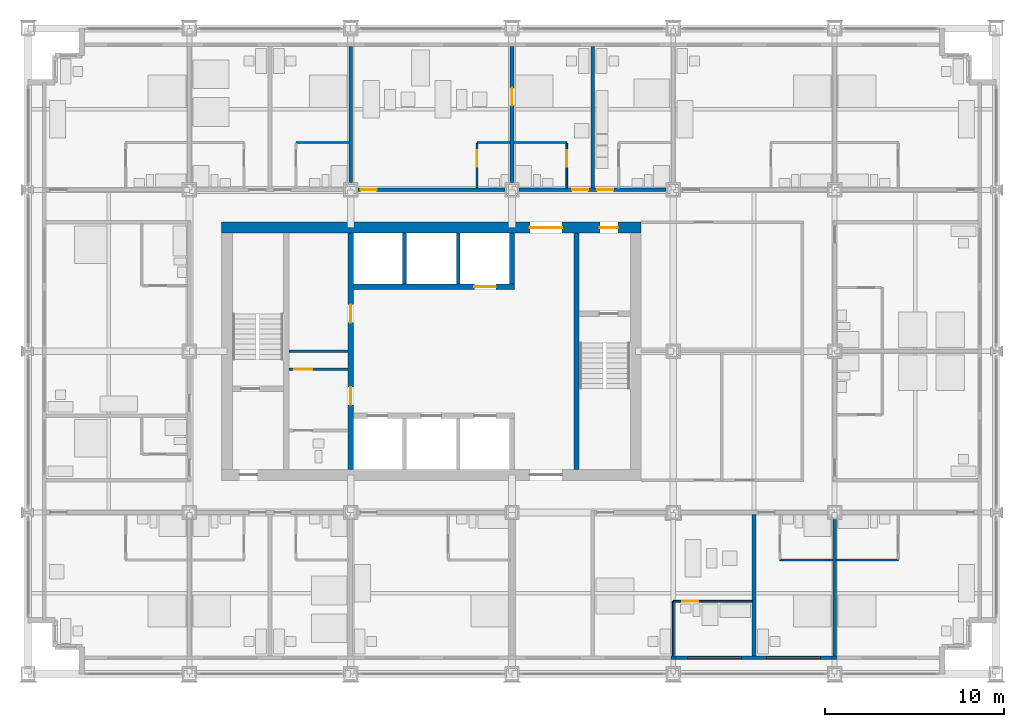
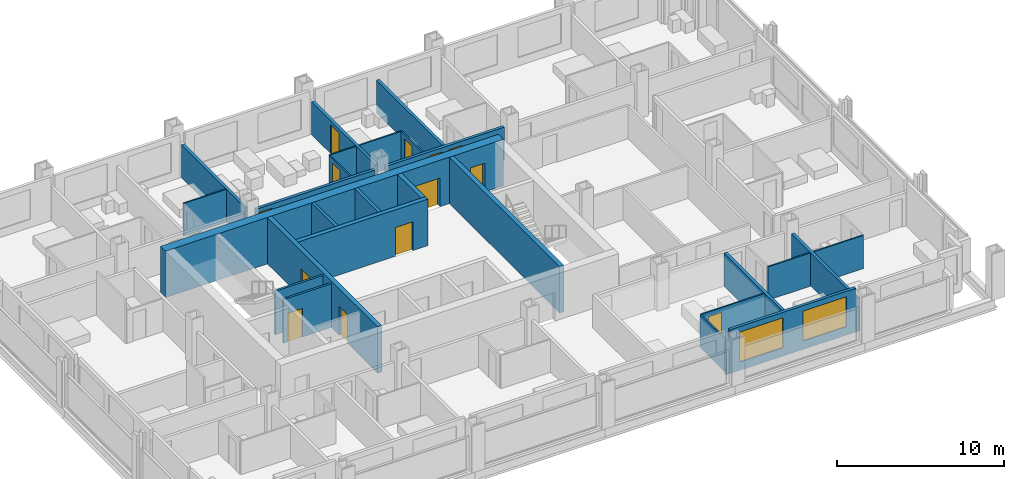
# One storey, part 12 of 18: 28 walls, 13 doors, 2 windows, 15 openings.
"""IFC4 building model written with IfcOpenShell, lengths in metres."""

from ifc_helpers import new_model, si_unit, direction, frame, frame_2d, origin, place, context, subcontext, project, spatial, rectangle, extrude, material, layer, layer_set, type_object, element, fill, save


model = new_model("IFC4")

# Units and contexts
model_context = context("Model", 3, precision=1e-05, world=origin(), true_north=direction((0.0, 1.0)))
body_context = subcontext(model_context, "Body", "Model", "MODEL_VIEW")
ifc_project = project(units=[si_unit("LENGTHUNIT", "METRE"), si_unit("AREAUNIT", "SQUARE_METRE"), si_unit("VOLUMEUNIT", "CUBIC_METRE"), si_unit("PLANEANGLEUNIT", "RADIAN"), si_unit("MASSUNIT", "GRAM", prefix="KILO")], contexts=[model_context])

# Site, building, storey
site_placement = place(None, origin())
site = spatial("IfcSite", under=ifc_project, at=site_placement, CompositionType="ELEMENT")
building_placement = place(site_placement, origin())
building = spatial("IfcBuilding", under=site, at=building_placement, Name="Loomwork Tower", CompositionType="ELEMENT")
storey_placement = place(building_placement, frame((0.0, 0.0, 31.39990234375)))
storey = spatial("IfcBuildingStorey", under=building, at=storey_placement, Name="L06", CompositionType="ELEMENT", Elevation=31.39990234375)

# Wall, openings, doors
ifc_material_1 = material(Name="Concrete 14000 psi (97 MPa)", Category="concrete")
ifc_layer_1 = layer(ifc_material_1, 0.300048828125)
ifc_layer_set_1 = layer_set([ifc_layer_1], Name="Core shear wall 300")
wall_type_1 = type_object("IfcWallType", Name="Core shear wall 300", PredefinedType="SHEAR", material=ifc_layer_set_1)
wall_1_placement = place(storey_placement, frame((18.0, 11.39990234375, 0.0), z_axis=(0.0, 0.0, 1.0), x_axis=(0.0, 1.0, 0.0)))
wall_1 = element("IfcWall", 1, at=wall_1_placement, inside=storey, type_object=wall_type_1, Name="Lobby west wall L06", PredefinedType="SHEAR", context=body_context, shape_type="SweptSolid", body=[
    extrude(rectangle(XDim=13.2001953125, YDim=0.300048828125, at=frame_2d((6.60009765625, 0.0))), origin(), (0.0, 0.0, 1.0), 3.400146484375),
])
opening_1_placement = place(wall_1_placement, frame((3.60009765625, 0.0, 0.0)))
opening_1 = element("IfcOpeningElement", 2, at=opening_1_placement, cuts=wall_1, Name="Opening D5", PredefinedType="OPENING", context=body_context, shape_type="SweptSolid", body=[
    extrude(rectangle(XDim=1.0, YDim=2.10009765625, at=frame_2d((0.5, 1.050048828125))), frame((0.0, 0.159912109375, 0.0), z_axis=(0.0, -1.0, 0.0), x_axis=(1.0, 0.0, 0.0)), (0.0, 0.0, 1.0), 0.320068359375),
])
opening_2_placement = place(wall_1_placement, frame((8.199951171875, 0.0, 0.0)))
opening_2 = element("IfcOpeningElement", 3, at=opening_2_placement, cuts=wall_1, Name="Opening D5", PredefinedType="OPENING", context=body_context, shape_type="SweptSolid", body=[
    extrude(rectangle(XDim=1.0, YDim=2.10009765625, at=frame_2d((0.5, 1.050048828125))), frame((0.0, 0.159912109375, 0.0), z_axis=(0.0, -1.0, 0.0), x_axis=(1.0, 0.0, 0.0)), (0.0, 0.0, 1.0), 0.320068359375),
])
ifc_material_2 = material(Name="Hollow metal door and frame")
door_type_1 = type_object("IfcDoorType", Name="Service door 1000", OperationType="SINGLE_SWING_LEFT", PredefinedType="DOOR", material=ifc_material_2)
door_1_placement = place(opening_1_placement, origin())
door_1 = element("IfcDoor", 4, at=door_1_placement, inside=storey, type_object=door_type_1, Name="Back-of-house door south", OperationType="SINGLE_SWING_LEFT", OverallHeight=2.10009765625, OverallWidth=1.0, PredefinedType="DOOR", context=body_context, shape_type="SweptSolid", body=[
    extrude(rectangle(XDim=1.0, YDim=2.10009765625, at=frame_2d((0.5, 1.050048828125))), frame((0.0, 0.02490234375, 0.0), z_axis=(0.0, -1.0, 0.0), x_axis=(1.0, 0.0, 0.0)), (0.0, 0.0, 1.0), 0.050048828125),
])
fill(opening_1, door_1)
door_2_placement = place(opening_2_placement, origin())
door_2 = element("IfcDoor", 5, at=door_2_placement, inside=storey, type_object=door_type_1, Name="Back-of-house door north", OperationType="SINGLE_SWING_RIGHT", OverallHeight=2.10009765625, OverallWidth=1.0, PredefinedType="DOOR", context=body_context, shape_type="SweptSolid", body=[
    extrude(rectangle(XDim=1.0, YDim=2.10009765625, at=frame_2d((0.5, 1.050048828125))), frame((0.0, 0.02490234375, 0.0), z_axis=(0.0, -1.0, 0.0), x_axis=(1.0, 0.0, 0.0)), (0.0, 0.0, 1.0), 0.050048828125),
])
fill(opening_2, door_2)

# Wall, opening, door
wall_2_placement = place(storey_placement, frame((18.14990234375, 21.60009765625, 0.0), z_axis=(0.0, 0.0, 1.0), x_axis=(1.0, 0.0, 0.0)))
wall_2 = element("IfcWall", 6, at=wall_2_placement, inside=storey, type_object=wall_type_1, Name="Lift front wall north L06", PredefinedType="SHEAR", context=body_context, shape_type="SweptSolid", body=[
    extrude(rectangle(XDim=9.0, YDim=0.300048828125, at=frame_2d((4.5, 0.0))), origin(), (0.0, 0.0, 1.0), 3.400146484375),
])
opening_3_placement = place(wall_2_placement, frame((6.75, 0.0, 0.0)))
opening_3 = element("IfcOpeningElement", 7, at=opening_3_placement, cuts=wall_2, Name="Opening LD2", PredefinedType="OPENING", context=body_context, shape_type="SweptSolid", body=[
    extrude(rectangle(XDim=1.199951171875, YDim=2.10009765625, at=frame_2d((0.60009765625, 1.050048828125))), frame((0.0, 0.159912109375, 0.0), z_axis=(0.0, -1.0, 0.0), x_axis=(1.0, 0.0, 0.0)), (0.0, 0.0, 1.0), 0.320068359375),
])
ifc_material_3 = material(Name="Hollow metal door and frame")
door_type_2 = type_object("IfcDoorType", Name="Lift landing door 1200", OperationType="SLIDING_TO_LEFT", PredefinedType="DOOR", material=ifc_material_3)
door_3_placement = place(opening_3_placement, origin())
door_3 = element("IfcDoor", 8, at=door_3_placement, inside=storey, type_object=door_type_2, Name="Lift landing door LF2", OperationType="SLIDING_TO_LEFT", OverallHeight=2.10009765625, OverallWidth=1.199951171875, PredefinedType="DOOR", context=body_context, shape_type="SweptSolid", body=[
    extrude(rectangle(XDim=1.199951171875, YDim=2.10009765625, at=frame_2d((0.60009765625, 1.050048828125))), frame((0.0, 0.02490234375, 0.0), z_axis=(0.0, -1.0, 0.0), x_axis=(1.0, 0.0, 0.0)), (0.0, 0.0, 1.0), 0.050048828125),
])
fill(opening_3, door_3)

# Walls
wall_3_placement = place(storey_placement, frame((27.0, 21.75, 0.0), z_axis=(0.0, 0.0, 1.0), x_axis=(0.0, 1.0, 0.0)))
element("IfcWall", 9, at=wall_3_placement, inside=storey, type_object=wall_type_1, Name="Lift shaft end wall north L06", PredefinedType="SHEAR", context=body_context, shape_type="SweptSolid", body=[
    extrude(rectangle(XDim=2.85009765625, YDim=0.300048828125, at=frame_2d((1.425048828125, 0.0))), origin(), (0.0, 0.0, 1.0), 3.400146484375),
])
wall_4_placement = place(storey_placement, frame((30.60009765625, 11.39990234375, 0.0), z_axis=(0.0, 0.0, 1.0), x_axis=(0.0, 1.0, 0.0)))
element("IfcWall", 10, at=wall_4_placement, inside=storey, type_object=wall_type_1, Name="Stair B west wall L06", PredefinedType="SHEAR", context=body_context, shape_type="SweptSolid", body=[
    extrude(rectangle(XDim=13.2001953125, YDim=0.300048828125, at=frame_2d((6.60009765625, 0.0))), origin(), (0.0, 0.0, 1.0), 3.400146484375),
])

# Wall, openings, doors
ifc_material_4 = material(Name="Concrete 14000 psi (97 MPa)", Category="concrete")
ifc_layer_2 = layer(ifc_material_4, 0.60009765625)
ifc_layer_set_2 = layer_set([ifc_layer_2], Name="Core shear wall 600")
wall_type_2 = type_object("IfcWallType", Name="Core shear wall 600", PredefinedType="SHEAR", material=ifc_layer_set_2)
wall_5_placement = place(storey_placement, frame((10.800048828125, 24.89990234375, 0.0), z_axis=(0.0, 0.0, 1.0), x_axis=(1.0, 0.0, 0.0)))
wall_5 = element("IfcWall", 11, at=wall_5_placement, inside=storey, type_object=wall_type_2, Name="Core wall north L06", PredefinedType="SHEAR", context=body_context, shape_type="SweptSolid", body=[
    extrude(rectangle(XDim=23.39990234375, YDim=0.60009765625, at=frame_2d((11.699951171875, 0.0))), origin(), (0.0, 0.0, 1.0), 3.400146484375),
])
opening_4_placement = place(wall_5_placement, frame((17.199951171875, 0.0, 0.0)))
opening_4 = element("IfcOpeningElement", 12, at=opening_4_placement, cuts=wall_5, Name="Opening D6", PredefinedType="OPENING", context=body_context, shape_type="SweptSolid", body=[
    extrude(rectangle(XDim=1.800048828125, YDim=2.10009765625, at=frame_2d((0.89990234375, 1.050048828125))), frame((0.0, 0.31005859375, 0.0), z_axis=(0.0, -1.0, 0.0), x_axis=(1.0, 0.0, 0.0)), (0.0, 0.0, 1.0), 0.6201171875),
])
opening_5_placement = place(wall_5_placement, frame((21.10009765625, 0.0, 0.0)))
opening_5 = element("IfcOpeningElement", 13, at=opening_5_placement, cuts=wall_5, Name="Opening D4", PredefinedType="OPENING", context=body_context, shape_type="SweptSolid", body=[
    extrude(rectangle(XDim=1.0, YDim=2.10009765625, at=frame_2d((0.5, 1.050048828125))), frame((0.0, 0.31005859375, 0.0), z_axis=(0.0, -1.0, 0.0), x_axis=(1.0, 0.0, 0.0)), (0.0, 0.0, 1.0), 0.6201171875),
])
ifc_material_5 = material(Name="Hollow metal door and frame")
door_type_3 = type_object("IfcDoorType", Name="Lobby passage double door 1800", OperationType="DOUBLE_DOOR_SINGLE_SWING", PredefinedType="DOOR", material=ifc_material_5)
door_4_placement = place(opening_4_placement, frame((1.800048828125, 0.0, 0.0), z_axis=(0.0, 0.0, 1.0), x_axis=(-1.0, 0.0, 0.0)))
door_4 = element("IfcDoor", 14, at=door_4_placement, inside=storey, type_object=door_type_3, Name="Lobby passage door north", OperationType="DOUBLE_DOOR_SINGLE_SWING", OverallHeight=2.10009765625, OverallWidth=1.800048828125, PredefinedType="DOOR", context=body_context, shape_type="SweptSolid", body=[
    extrude(rectangle(XDim=1.800048828125, YDim=2.10009765625, at=frame_2d((0.89990234375, 1.050048828125))), frame((0.0, 0.02490234375, 0.0), z_axis=(0.0, -1.0, 0.0), x_axis=(1.0, 0.0, 0.0)), (0.0, 0.0, 1.0), 0.050048828125),
])
fill(opening_4, door_4)
ifc_material_6 = material(Name="Hollow metal door and frame")
door_type_4 = type_object("IfcDoorType", Name="Stair door 1000", OperationType="SINGLE_SWING_RIGHT", PredefinedType="DOOR", material=ifc_material_6)
door_5_placement = place(opening_5_placement, frame((1.0, 0.0, 0.0), z_axis=(0.0, 0.0, 1.0), x_axis=(-1.0, 0.0, 0.0)))
door_5 = element("IfcDoor", 15, at=door_5_placement, inside=storey, type_object=door_type_4, Name="Stair B vestibule door", OperationType="SINGLE_SWING_LEFT", OverallHeight=2.10009765625, OverallWidth=1.0, PredefinedType="DOOR", context=body_context, shape_type="SweptSolid", body=[
    extrude(rectangle(XDim=1.0, YDim=2.10009765625, at=frame_2d((0.5, 1.050048828125))), frame((0.0, 0.02490234375, 0.0), z_axis=(0.0, -1.0, 0.0), x_axis=(1.0, 0.0, 0.0)), (0.0, 0.0, 1.0), 0.050048828125),
])
fill(opening_5, door_5)

# Wall, opening, door
ifc_material_7 = material(Name="Gypsum board on steel studs, one-hour", Category="steel")
ifc_layer_3 = layer(ifc_material_7, 0.199951171875)
ifc_layer_set_3 = layer_set([ifc_layer_3], Name="Corridor wall 200")
wall_type_3 = type_object("IfcWallType", Name="Corridor wall 200", PredefinedType="PARTITIONING", material=ifc_layer_set_3)
wall_6_placement = place(storey_placement, frame((18.39990234375, 27.0, 0.0), z_axis=(0.0, 0.0, 1.0), x_axis=(1.0, 0.0, 0.0)))
wall_6 = element("IfcWall", 16, at=wall_6_placement, inside=storey, type_object=wall_type_3, Name="North corridor wall 3", PredefinedType="PARTITIONING", context=body_context, shape_type="SweptSolid", body=[
    extrude(rectangle(XDim=8.2001953125, YDim=0.199951171875, at=frame_2d((4.10009765625, 0.0))), origin(), (0.0, 0.0, 1.0), 2.405029296875),
])
opening_6_placement = place(wall_6_placement, frame((0.14990234375, 0.0, 0.0)))
opening_6 = element("IfcOpeningElement", 17, at=opening_6_placement, cuts=wall_6, Name="Opening D1", PredefinedType="OPENING", context=body_context, shape_type="SweptSolid", body=[
    extrude(rectangle(XDim=0.89990234375, YDim=2.10009765625, at=frame_2d((0.449951171875, 1.050048828125))), frame((0.0, 0.10986328125, 0.0), z_axis=(0.0, -1.0, 0.0), x_axis=(1.0, 0.0, 0.0)), (0.0, 0.0, 1.0), 0.219970703125),
])
ifc_material_8 = material(Name="Hollow metal door and frame")
door_type_5 = type_object("IfcDoorType", Name="Guest room entry door 900", OperationType="SINGLE_SWING_LEFT", PredefinedType="DOOR", material=ifc_material_8)
door_6_placement = place(opening_6_placement, origin())
door_6 = element("IfcDoor", 18, at=door_6_placement, inside=storey, type_object=door_type_5, Name="Guest room entry door L06 11", OperationType="SINGLE_SWING_LEFT", OverallHeight=2.10009765625, OverallWidth=0.89990234375, PredefinedType="DOOR", context=body_context, shape_type="SweptSolid", body=[
    extrude(rectangle(XDim=0.89990234375, YDim=2.10009765625, at=frame_2d((0.449951171875, 1.050048828125))), frame((0.0, 0.02490234375, 0.0), z_axis=(0.0, -1.0, 0.0), x_axis=(1.0, 0.0, 0.0)), (0.0, 0.0, 1.0), 0.050048828125),
])
fill(opening_6, door_6)

# Wall, openings, doors
wall_7_placement = place(storey_placement, frame((27.39990234375, 27.0, 0.0), z_axis=(0.0, 0.0, 1.0), x_axis=(1.0, 0.0, 0.0)))
wall_7 = element("IfcWall", 19, at=wall_7_placement, inside=storey, type_object=wall_type_3, Name="North corridor wall 4", PredefinedType="PARTITIONING", context=body_context, shape_type="SweptSolid", body=[
    extrude(rectangle(XDim=8.2001953125, YDim=0.199951171875, at=frame_2d((4.10009765625, 0.0))), origin(), (0.0, 0.0, 1.0), 2.405029296875),
])
opening_7_placement = place(wall_7_placement, frame((2.949951171875, 0.0, 0.0)))
opening_7 = element("IfcOpeningElement", 20, at=opening_7_placement, cuts=wall_7, Name="Opening D1", PredefinedType="OPENING", context=body_context, shape_type="SweptSolid", body=[
    extrude(rectangle(XDim=0.89990234375, YDim=2.10009765625, at=frame_2d((0.449951171875, 1.050048828125))), frame((0.0, 0.10986328125, 0.0), z_axis=(0.0, -1.0, 0.0), x_axis=(1.0, 0.0, 0.0)), (0.0, 0.0, 1.0), 0.219970703125),
])
opening_8_placement = place(wall_7_placement, frame((4.35009765625, 0.0, 0.0)))
opening_8 = element("IfcOpeningElement", 21, at=opening_8_placement, cuts=wall_7, Name="Opening D1", PredefinedType="OPENING", context=body_context, shape_type="SweptSolid", body=[
    extrude(rectangle(XDim=0.89990234375, YDim=2.10009765625, at=frame_2d((0.449951171875, 1.050048828125))), frame((0.0, 0.10986328125, 0.0), z_axis=(0.0, -1.0, 0.0), x_axis=(1.0, 0.0, 0.0)), (0.0, 0.0, 1.0), 0.219970703125),
])
door_7_placement = place(opening_7_placement, origin())
door_7 = element("IfcDoor", 22, at=door_7_placement, inside=storey, type_object=door_type_5, Name="Guest room entry door L06 12", OperationType="SINGLE_SWING_RIGHT", OverallHeight=2.10009765625, OverallWidth=0.89990234375, PredefinedType="DOOR", context=body_context, shape_type="SweptSolid", body=[
    extrude(rectangle(XDim=0.89990234375, YDim=2.10009765625, at=frame_2d((0.449951171875, 1.050048828125))), frame((0.0, 0.02490234375, 0.0), z_axis=(0.0, -1.0, 0.0), x_axis=(1.0, 0.0, 0.0)), (0.0, 0.0, 1.0), 0.050048828125),
])
fill(opening_7, door_7)
door_8_placement = place(opening_8_placement, origin())
door_8 = element("IfcDoor", 23, at=door_8_placement, inside=storey, type_object=door_type_5, Name="Guest room entry door L06 13", OperationType="SINGLE_SWING_LEFT", OverallHeight=2.10009765625, OverallWidth=0.89990234375, PredefinedType="DOOR", context=body_context, shape_type="SweptSolid", body=[
    extrude(rectangle(XDim=0.89990234375, YDim=2.10009765625, at=frame_2d((0.449951171875, 1.050048828125))), frame((0.0, 0.02490234375, 0.0), z_axis=(0.0, -1.0, 0.0), x_axis=(1.0, 0.0, 0.0)), (0.0, 0.0, 1.0), 0.050048828125),
])
fill(opening_8, door_8)

# Wall, opening, door
ifc_material_9 = material(Name="Cement board on steel studs", Category="steel")
ifc_layer_4 = layer(ifc_material_9, 0.10009765625)
ifc_layer_set_4 = layer_set([ifc_layer_4], Name="En-suite partition 100")
wall_type_4 = type_object("IfcWallType", Name="En-suite partition 100", PredefinedType="PARTITIONING", material=ifc_layer_set_4)
wall_8_placement = place(storey_placement, frame((36.0, 4.050048828125, 0.0), z_axis=(0.0, 0.0, 1.0), x_axis=(1.0, 0.0, 0.0)))
wall_8 = element("IfcWall", 24, at=wall_8_placement, inside=storey, type_object=wall_type_4, Name="Spa bathroom wall L06 room 5", PredefinedType="PARTITIONING", context=body_context, shape_type="SweptSolid", body=[
    extrude(rectangle(XDim=4.39990234375, YDim=0.10009765625, at=frame_2d((2.199951171875, 0.0))), origin(), (0.0, 0.0, 1.0), 2.43798828125),
])
opening_9_placement = place(wall_8_placement, frame((0.5, 0.0, 0.0)))
opening_9 = element("IfcOpeningElement", 25, at=opening_9_placement, cuts=wall_8, Name="Opening D2", PredefinedType="OPENING", context=body_context, shape_type="SweptSolid", body=[
    extrude(rectangle(XDim=0.89990234375, YDim=2.10009765625, at=frame_2d((0.449951171875, 1.050048828125))), frame((0.0, 0.06005859375, 0.0), z_axis=(0.0, -1.0, 0.0), x_axis=(1.0, 0.0, 0.0)), (0.0, 0.0, 1.0), 0.1201171875),
])
ifc_material_10 = material(Name="Hollow metal door and frame")
door_type_6 = type_object("IfcDoorType", Name="En-suite door 900", OperationType="SINGLE_SWING_LEFT", PredefinedType="DOOR", material=ifc_material_10)
door_9_placement = place(opening_9_placement, frame((0.89990234375, 0.0, 0.0), z_axis=(0.0, 0.0, 1.0), x_axis=(-1.0, 0.0, 0.0)))
door_9 = element("IfcDoor", 26, at=door_9_placement, inside=storey, type_object=door_type_6, Name="Spa bathroom door room 5", OperationType="SINGLE_SWING_RIGHT", OverallHeight=2.10009765625, OverallWidth=0.89990234375, PredefinedType="DOOR", context=body_context, shape_type="SweptSolid", body=[
    extrude(rectangle(XDim=0.89990234375, YDim=2.10009765625, at=frame_2d((0.449951171875, 1.050048828125))), frame((0.0, 0.02490234375, 0.0), z_axis=(0.0, -1.0, 0.0), x_axis=(1.0, 0.0, 0.0)), (0.0, 0.0, 1.0), 0.050048828125),
])
fill(opening_9, door_9)

# Walls
wall_9_placement = place(storey_placement, frame((36.0, 4.050048828125, 0.0), z_axis=(0.0, 0.0, 1.0), x_axis=(0.0, -1.0, 0.0)))
element("IfcWall", 27, at=wall_9_placement, inside=storey, type_object=wall_type_4, Name="Spa bathroom side wall L06 room 5", PredefinedType="PARTITIONING", context=body_context, shape_type="SweptSolid", body=[
    extrude(rectangle(XDim=3.050048828125, YDim=0.10009765625, at=frame_2d((1.52490234375, 0.0))), origin(), (0.0, 0.0, 1.0), 2.43798828125),
])
wall_10_placement = place(storey_placement, frame((41.949951171875, 6.35009765625, 0.0), z_axis=(0.0, 0.0, 1.0), x_axis=(1.0, 0.0, 0.0)))
element("IfcWall", 28, at=wall_10_placement, inside=storey, type_object=wall_type_4, Name="En-suite wall L06 room 6", PredefinedType="PARTITIONING", context=body_context, shape_type="SweptSolid", body=[
    extrude(rectangle(XDim=2.949951171875, YDim=0.10009765625, at=frame_2d((1.47509765625, 0.0))), origin(), (0.0, 0.0, 1.0), 2.43798828125),
])
wall_11_placement = place(storey_placement, frame((45.10009765625, 6.35009765625, 0.0), z_axis=(0.0, 0.0, 1.0), x_axis=(1.0, 0.0, 0.0)))
element("IfcWall", 29, at=wall_11_placement, inside=storey, type_object=wall_type_4, Name="En-suite wall L06 room 7", PredefinedType="PARTITIONING", context=body_context, shape_type="SweptSolid", body=[
    extrude(rectangle(XDim=3.449951171875, YDim=0.10009765625, at=frame_2d((1.72509765625, 0.0))), origin(), (0.0, 0.0, 1.0), 2.43798828125),
])
wall_12_placement = place(storey_placement, frame((14.949951171875, 29.64990234375, 0.0), z_axis=(0.0, 0.0, 1.0), x_axis=(1.0, 0.0, 0.0)))
element("IfcWall", 30, at=wall_12_placement, inside=storey, type_object=wall_type_4, Name="En-suite wall L06 room 10", PredefinedType="PARTITIONING", context=body_context, shape_type="SweptSolid", body=[
    extrude(rectangle(XDim=2.949951171875, YDim=0.10009765625, at=frame_2d((1.47509765625, 0.0))), origin(), (0.0, 0.0, 1.0), 2.404052734375),
])
wall_13_placement = place(storey_placement, frame((25.050048828125, 29.64990234375, 0.0), z_axis=(0.0, 0.0, 1.0), x_axis=(1.0, 0.0, 0.0)))
element("IfcWall", 31, at=wall_13_placement, inside=storey, type_object=wall_type_4, Name="En-suite wall L06 room 11", PredefinedType="PARTITIONING", context=body_context, shape_type="SweptSolid", body=[
    extrude(rectangle(XDim=1.849853515625, YDim=0.10009765625, at=frame_2d((0.9248046875, 0.0))), origin(), (0.0, 0.0, 1.0), 2.404052734375),
])

# Wall, opening, door
wall_14_placement = place(storey_placement, frame((25.050048828125, 27.10009765625, 0.0), z_axis=(0.0, 0.0, 1.0), x_axis=(0.0, 1.0, 0.0)))
wall_14 = element("IfcWall", 32, at=wall_14_placement, inside=storey, type_object=wall_type_4, Name="En-suite side wall L06 room 11", PredefinedType="PARTITIONING", context=body_context, shape_type="SweptSolid", body=[
    extrude(rectangle(XDim=2.5, YDim=0.10009765625, at=frame_2d((1.25, 0.0))), origin(), (0.0, 0.0, 1.0), 2.404052734375),
])
opening_10_placement = place(wall_14_placement, frame((1.199951171875, 0.0, 0.0)))
opening_10 = element("IfcOpeningElement", 33, at=opening_10_placement, cuts=wall_14, Name="Opening D2", PredefinedType="OPENING", context=body_context, shape_type="SweptSolid", body=[
    extrude(rectangle(XDim=0.89990234375, YDim=2.10009765625, at=frame_2d((0.449951171875, 1.050048828125))), frame((0.0, 0.06005859375, 0.0), z_axis=(0.0, -1.0, 0.0), x_axis=(1.0, 0.0, 0.0)), (0.0, 0.0, 1.0), 0.1201171875),
])
door_10_placement = place(opening_10_placement, frame((0.89990234375, 0.0, 0.0), z_axis=(0.0, 0.0, 1.0), x_axis=(-1.0, 0.0, 0.0)))
door_10 = element("IfcDoor", 34, at=door_10_placement, inside=storey, type_object=door_type_6, Name="Suite powder room door room 11", OperationType="SINGLE_SWING_LEFT", OverallHeight=2.10009765625, OverallWidth=0.89990234375, PredefinedType="DOOR", context=body_context, shape_type="SweptSolid", body=[
    extrude(rectangle(XDim=0.89990234375, YDim=2.10009765625, at=frame_2d((0.449951171875, 1.050048828125))), frame((0.0, 0.02490234375, 0.0), z_axis=(0.0, -1.0, 0.0), x_axis=(1.0, 0.0, 0.0)), (0.0, 0.0, 1.0), 0.050048828125),
])
fill(opening_10, door_10)

# Wall
wall_15_placement = place(storey_placement, frame((27.10009765625, 29.64990234375, 0.0), z_axis=(0.0, 0.0, 1.0), x_axis=(1.0, 0.0, 0.0)))
element("IfcWall", 35, at=wall_15_placement, inside=storey, type_object=wall_type_4, Name="En-suite wall L06 room 12", PredefinedType="PARTITIONING", context=body_context, shape_type="SweptSolid", body=[
    extrude(rectangle(XDim=2.949951171875, YDim=0.10009765625, at=frame_2d((1.47509765625, 0.0))), origin(), (0.0, 0.0, 1.0), 2.404052734375),
])

# Wall, opening, door
wall_16_placement = place(storey_placement, frame((30.050048828125, 27.10009765625, 0.0), z_axis=(0.0, 0.0, 1.0), x_axis=(0.0, 1.0, 0.0)))
wall_16 = element("IfcWall", 36, at=wall_16_placement, inside=storey, type_object=wall_type_4, Name="En-suite side wall L06 room 12", PredefinedType="PARTITIONING", context=body_context, shape_type="SweptSolid", body=[
    extrude(rectangle(XDim=2.5, YDim=0.10009765625, at=frame_2d((1.25, 0.0))), origin(), (0.0, 0.0, 1.0), 2.404052734375),
])
opening_11_placement = place(wall_16_placement, frame((1.199951171875, 0.0, 0.0)))
opening_11 = element("IfcOpeningElement", 37, at=opening_11_placement, cuts=wall_16, Name="Opening D2", PredefinedType="OPENING", context=body_context, shape_type="SweptSolid", body=[
    extrude(rectangle(XDim=0.89990234375, YDim=2.10009765625, at=frame_2d((0.449951171875, 1.050048828125))), frame((0.0, 0.06005859375, 0.0), z_axis=(0.0, -1.0, 0.0), x_axis=(1.0, 0.0, 0.0)), (0.0, 0.0, 1.0), 0.1201171875),
])
door_11_placement = place(opening_11_placement, origin())
door_11 = element("IfcDoor", 38, at=door_11_placement, inside=storey, type_object=door_type_6, Name="En-suite door room 12", OperationType="SINGLE_SWING_RIGHT", OverallHeight=2.10009765625, OverallWidth=0.89990234375, PredefinedType="DOOR", context=body_context, shape_type="SweptSolid", body=[
    extrude(rectangle(XDim=0.89990234375, YDim=2.10009765625, at=frame_2d((0.449951171875, 1.050048828125))), frame((0.0, 0.02490234375, 0.0), z_axis=(0.0, -1.0, 0.0), x_axis=(1.0, 0.0, 0.0)), (0.0, 0.0, 1.0), 0.050048828125),
])
fill(opening_11, door_11)

# Walls
ifc_material_11 = material(Name="Gypsum board on steel studs, acoustic", Category="steel")
ifc_layer_5 = layer(ifc_material_11, 0.199951171875)
ifc_layer_set_5 = layer_set([ifc_layer_5], Name="Guest room party wall 200")
wall_type_5 = type_object("IfcWallType", Name="Guest room party wall 200", PredefinedType="PARTITIONING", material=ifc_layer_set_5)
wall_17_placement = place(storey_placement, frame((40.5, 8.89990234375, 0.0), z_axis=(0.0, 0.0, 1.0), x_axis=(0.0, -1.0, 0.0)))
element("IfcWall", 39, at=wall_17_placement, inside=storey, type_object=wall_type_5, Name="Guest room party wall S 40.5", PredefinedType="PARTITIONING", context=body_context, shape_type="SweptSolid", body=[
    extrude(rectangle(XDim=7.89990234375, YDim=0.199951171875, at=frame_2d((3.949951171875, 0.0))), origin(), (0.0, 0.0, 1.0), 2.43798828125),
])
wall_18_placement = place(storey_placement, frame((45.0, 8.60009765625, 0.0), z_axis=(0.0, 0.0, 1.0), x_axis=(0.0, -1.0, 0.0)))
element("IfcWall", 40, at=wall_18_placement, inside=storey, type_object=wall_type_5, Name="Guest room party wall S 45", PredefinedType="PARTITIONING", context=body_context, shape_type="SweptSolid", body=[
    extrude(rectangle(XDim=7.60009765625, YDim=0.199951171875, at=frame_2d((3.800048828125, 0.0))), origin(), (0.0, 0.0, 1.0), 2.43798828125),
])
wall_19_placement = place(storey_placement, frame((18.0, 27.39990234375, 0.0), z_axis=(0.0, 0.0, 1.0), x_axis=(0.0, 1.0, 0.0)))
element("IfcWall", 41, at=wall_19_placement, inside=storey, type_object=wall_type_5, Name="Guest room party wall N 18", PredefinedType="PARTITIONING", context=body_context, shape_type="SweptSolid", body=[
    extrude(rectangle(XDim=7.60009765625, YDim=0.199951171875, at=frame_2d((3.800048828125, 0.0))), origin(), (0.0, 0.0, 1.0), 2.405029296875),
])

# Wall, opening, door
wall_20_placement = place(storey_placement, frame((27.0, 27.39990234375, 0.0), z_axis=(0.0, 0.0, 1.0), x_axis=(0.0, 1.0, 0.0)))
wall_20 = element("IfcWall", 42, at=wall_20_placement, inside=storey, type_object=wall_type_5, Name="Guest room party wall N 27", PredefinedType="PARTITIONING", context=body_context, shape_type="SweptSolid", body=[
    extrude(rectangle(XDim=7.60009765625, YDim=0.199951171875, at=frame_2d((3.800048828125, 0.0))), origin(), (0.0, 0.0, 1.0), 2.405029296875),
])
opening_12_placement = place(wall_20_placement, frame((4.300048828125, 0.0, 0.0)))
opening_12 = element("IfcOpeningElement", 43, at=opening_12_placement, cuts=wall_20, Name="Opening D7", PredefinedType="OPENING", context=body_context, shape_type="SweptSolid", body=[
    extrude(rectangle(XDim=1.0, YDim=2.10009765625, at=frame_2d((0.5, 1.050048828125))), frame((0.0, 0.10986328125, 0.0), z_axis=(0.0, -1.0, 0.0), x_axis=(1.0, 0.0, 0.0)), (0.0, 0.0, 1.0), 0.219970703125),
])
ifc_material_12 = material(Name="Hollow metal door and frame")
door_type_7 = type_object("IfcDoorType", Name="Room door 1000", OperationType="SINGLE_SWING_LEFT", PredefinedType="DOOR", material=ifc_material_12)
door_12_placement = place(opening_12_placement, frame((1.0, 0.0, 0.0), z_axis=(0.0, 0.0, 1.0), x_axis=(-1.0, 0.0, 0.0)))
door_12 = element("IfcDoor", 44, at=door_12_placement, inside=storey, type_object=door_type_7, Name="Suite connecting door L06 N 27", OperationType="SINGLE_SWING_RIGHT", OverallHeight=2.10009765625, OverallWidth=1.0, PredefinedType="DOOR", context=body_context, shape_type="SweptSolid", body=[
    extrude(rectangle(XDim=1.0, YDim=2.10009765625, at=frame_2d((0.5, 1.050048828125))), frame((0.0, 0.02490234375, 0.0), z_axis=(0.0, -1.0, 0.0), x_axis=(1.0, 0.0, 0.0)), (0.0, 0.0, 1.0), 0.050048828125),
])
fill(opening_12, door_12)

# Walls
wall_21_placement = place(storey_placement, frame((31.5, 27.10009765625, 0.0), z_axis=(0.0, 0.0, 1.0), x_axis=(0.0, 1.0, 0.0)))
element("IfcWall", 45, at=wall_21_placement, inside=storey, type_object=wall_type_5, Name="Guest room party wall N 31.5", PredefinedType="PARTITIONING", context=body_context, shape_type="SweptSolid", body=[
    extrude(rectangle(XDim=7.89990234375, YDim=0.199951171875, at=frame_2d((3.949951171875, 0.0))), origin(), (0.0, 0.0, 1.0), 2.404052734375),
])
ifc_material_13 = material(Name="Insulated steel stud wall with gypsum lining", Category="steel")
ifc_layer_6 = layer(ifc_material_13, 0.199951171875)
ifc_layer_set_6 = layer_set([ifc_layer_6], Name="Inner skin wall 200")
wall_type_6 = type_object("IfcWallType", Name="Inner skin wall 200", PredefinedType="SOLIDWALL", material=ifc_layer_set_6)
wall_22_placement = place(storey_placement, frame((35.864501953125, 0.89990234375, 0.0), z_axis=(0.0, 0.0, 1.0), x_axis=(1.0, 0.0, 0.0)))
element("IfcWall", 46, at=wall_22_placement, inside=storey, type_object=wall_type_6, Name="Inner skin wall S bay 8", PredefinedType="SOLIDWALL", context=body_context, shape_type="SweptSolid", body=[
    extrude(rectangle(XDim=0.27099609375, YDim=0.199951171875, at=frame_2d((0.135498046875, 0.0))), origin(), (0.0, 0.0, 1.0), 2.43798828125),
])

# Wall, openings, windows
wall_23_placement = place(storey_placement, frame((36.135498046875, 0.89990234375, 0.0), z_axis=(0.0, 0.0, 1.0), x_axis=(1.0, 0.0, 0.0)))
wall_23 = element("IfcWall", 47, at=wall_23_placement, inside=storey, type_object=wall_type_6, Name="Inner skin wall S bay 9", PredefinedType="SOLIDWALL", context=body_context, shape_type="SweptSolid", body=[
    extrude(rectangle(XDim=8.72900390625, YDim=0.199951171875, at=frame_2d((4.364501953125, 0.0))), origin(), (0.0, 0.0, 1.0), 3.2001953125),
])
opening_13_placement = place(wall_23_placement, frame((0.66455078125, 0.0, 0.60009765625)))
opening_13 = element("IfcOpeningElement", 48, at=opening_13_placement, cuts=wall_23, Name="Opening CH1", PredefinedType="OPENING", context=body_context, shape_type="SweptSolid", body=[
    extrude(rectangle(XDim=3.0, YDim=2.199951171875, at=frame_2d((1.5, 1.10009765625))), frame((0.0, 0.10986328125, 0.0), z_axis=(0.0, -1.0, 0.0), x_axis=(1.0, 0.0, 0.0)), (0.0, 0.0, 1.0), 0.219970703125),
])
opening_14_placement = place(wall_23_placement, frame((5.064697265625, 0.0, 0.60009765625)))
opening_14 = element("IfcOpeningElement", 49, at=opening_14_placement, cuts=wall_23, Name="Opening CH1", PredefinedType="OPENING", context=body_context, shape_type="SweptSolid", body=[
    extrude(rectangle(XDim=3.0, YDim=2.199951171875, at=frame_2d((1.5, 1.10009765625))), frame((0.0, 0.10986328125, 0.0), z_axis=(0.0, -1.0, 0.0), x_axis=(1.0, 0.0, 0.0)), (0.0, 0.0, 1.0), 0.219970703125),
])
ifc_material_14 = material(Name="Aluminium frame with clear insulated glass", Category="aluminium")
window_type = type_object("IfcWindowType", Name="Chicago window 3000", PartitioningType="TRIPLE_PANEL_VERTICAL", PredefinedType="WINDOW", material=ifc_material_14)
window_1_placement = place(opening_13_placement, origin())
window_1 = element("IfcWindow", 50, at=window_1_placement, inside=storey, type_object=window_type, Name="Chicago window L06 bay 5", OverallHeight=2.199951171875, OverallWidth=3.0, PartitioningType="TRIPLE_PANEL_VERTICAL", PredefinedType="WINDOW", context=body_context, shape_type="SweptSolid", body=[
    extrude(rectangle(XDim=3.0, YDim=2.199951171875, at=frame_2d((1.5, 1.10009765625))), frame((0.0, 0.030029296875, 0.0), z_axis=(0.0, -1.0, 0.0), x_axis=(1.0, 0.0, 0.0)), (0.0, 0.0, 1.0), 0.06005859375),
])
fill(opening_13, window_1)
window_2_placement = place(opening_14_placement, origin())
window_2 = element("IfcWindow", 51, at=window_2_placement, inside=storey, type_object=window_type, Name="Chicago window L06 bay 5", OverallHeight=2.199951171875, OverallWidth=3.0, PartitioningType="TRIPLE_PANEL_VERTICAL", PredefinedType="WINDOW", context=body_context, shape_type="SweptSolid", body=[
    extrude(rectangle(XDim=3.0, YDim=2.199951171875, at=frame_2d((1.5, 1.10009765625))), frame((0.0, 0.030029296875, 0.0), z_axis=(0.0, -1.0, 0.0), x_axis=(1.0, 0.0, 0.0)), (0.0, 0.0, 1.0), 0.06005859375),
])
fill(opening_14, window_2)

# Walls
wall_24_placement = place(storey_placement, frame((44.864501953125, 0.89990234375, 0.0), z_axis=(0.0, 0.0, 1.0), x_axis=(1.0, 0.0, 0.0)))
element("IfcWall", 52, at=wall_24_placement, inside=storey, type_object=wall_type_6, Name="Inner skin wall S bay 10", PredefinedType="SOLIDWALL", context=body_context, shape_type="SweptSolid", body=[
    extrude(rectangle(XDim=0.27099609375, YDim=0.199951171875, at=frame_2d((0.135498046875, 0.0))), origin(), (0.0, 0.0, 1.0), 2.43798828125),
])
ifc_material_15 = material(Name="Concrete 14000 psi (97 MPa)", Category="concrete")
ifc_layer_7 = layer(ifc_material_15, 0.199951171875)
ifc_layer_set_7 = layer_set([ifc_layer_7], Name="Lift shaft wall 200")
wall_type_7 = type_object("IfcWallType", Name="Lift shaft wall 200", PredefinedType="SHEAR", material=ifc_layer_set_7)
for number, where, z_axis, x_axis, name in (
    (53, (21.0, 21.75, 0.0), (0.0, 0.0, 1.0), (0.0, 1.0, 0.0), "Lift shaft separation wall north 1 L06"),
    (54, (24.0, 21.75, 0.0), (0.0, 0.0, 1.0), (0.0, 1.0, 0.0), "Lift shaft separation wall north 2 L06"),
):
    element("IfcWall", number, at=place(storey_placement, frame(where, z_axis=z_axis, x_axis=x_axis)), inside=storey, type_object=wall_type_7, Name=name, PredefinedType="SHEAR", context=body_context, shape_type="SweptSolid", body=[
        extrude(rectangle(XDim=2.85009765625, YDim=0.199951171875, at=frame_2d((1.425048828125, 0.0))), origin(), (0.0, 0.0, 1.0), 3.400146484375),
    ])
ifc_material_16 = material(Name="Gypsum board on steel studs", Category="steel")
ifc_layer_8 = layer(ifc_material_16, 0.14990234375)
ifc_layer_set_8 = layer_set([ifc_layer_8], Name="Partition 150 two-hour")
wall_type_8 = type_object("IfcWallType", Name="Partition 150 two-hour", PredefinedType="PARTITIONING", material=ifc_layer_set_8)
wall_25_placement = place(storey_placement, frame((14.550048828125, 18.0, 0.0), z_axis=(0.0, 0.0, 1.0), x_axis=(1.0, 0.0, 0.0)))
element("IfcWall", 55, at=wall_25_placement, inside=storey, type_object=wall_type_8, Name="Back-of-house dividing wall L06", PredefinedType="PARTITIONING", context=body_context, shape_type="SweptSolid", body=[
    extrude(rectangle(XDim=3.300048828125, YDim=0.14990234375, at=frame_2d((1.64990234375, 0.0))), origin(), (0.0, 0.0, 1.0), 3.2001953125),
])

# Wall, opening, door
ifc_material_17 = material(Name="Gypsum board on steel studs, one-hour", Category="steel")
ifc_layer_9 = layer(ifc_material_17, 0.14990234375)
ifc_layer_set_9 = layer_set([ifc_layer_9], Name="Service partition 150")
wall_type_9 = type_object("IfcWallType", Name="Service partition 150", PredefinedType="PARTITIONING", material=ifc_layer_set_9)
wall_26_placement = place(storey_placement, frame((14.550048828125, 17.0, 0.0), z_axis=(0.0, 0.0, 1.0), x_axis=(1.0, 0.0, 0.0)))
wall_26 = element("IfcWall", 56, at=wall_26_placement, inside=storey, type_object=wall_type_9, Name="Riser enclosure L06", PredefinedType="PARTITIONING", context=body_context, shape_type="SweptSolid", body=[
    extrude(rectangle(XDim=3.300048828125, YDim=0.14990234375, at=frame_2d((1.64990234375, 0.0))), origin(), (0.0, 0.0, 1.0), 3.2001953125),
])
opening_15_placement = place(wall_26_placement, frame((0.300048828125, 0.0, 0.0)))
opening_15 = element("IfcOpeningElement", 57, at=opening_15_placement, cuts=wall_26, Name="Opening D18", PredefinedType="OPENING", context=body_context, shape_type="SweptSolid", body=[
    extrude(rectangle(XDim=1.0, YDim=2.10009765625, at=frame_2d((0.5, 1.050048828125))), frame((0.0, 0.0849609375, 0.0), z_axis=(0.0, -1.0, 0.0), x_axis=(1.0, 0.0, 0.0)), (0.0, 0.0, 1.0), 0.169921875),
])
ifc_material_18 = material(Name="Hollow metal door and frame")
door_type_8 = type_object("IfcDoorType", Name="Ninety-minute service door 1000", OperationType="SINGLE_SWING_LEFT", PredefinedType="DOOR", material=ifc_material_18)
door_13_placement = place(opening_15_placement, frame((1.0, 0.0, 0.0), z_axis=(0.0, 0.0, 1.0), x_axis=(-1.0, 0.0, 0.0)))
door_13 = element("IfcDoor", 58, at=door_13_placement, inside=storey, type_object=door_type_8, Name="Riser access door", OperationType="SINGLE_SWING_RIGHT", OverallHeight=2.10009765625, OverallWidth=1.0, PredefinedType="DOOR", context=body_context, shape_type="SweptSolid", body=[
    extrude(rectangle(XDim=1.0, YDim=2.10009765625, at=frame_2d((0.5, 1.050048828125))), frame((0.0, 0.02490234375, 0.0), z_axis=(0.0, -1.0, 0.0), x_axis=(1.0, 0.0, 0.0)), (0.0, 0.0, 1.0), 0.050048828125),
])
fill(opening_15, door_13)

save(model, "model.ifc")
